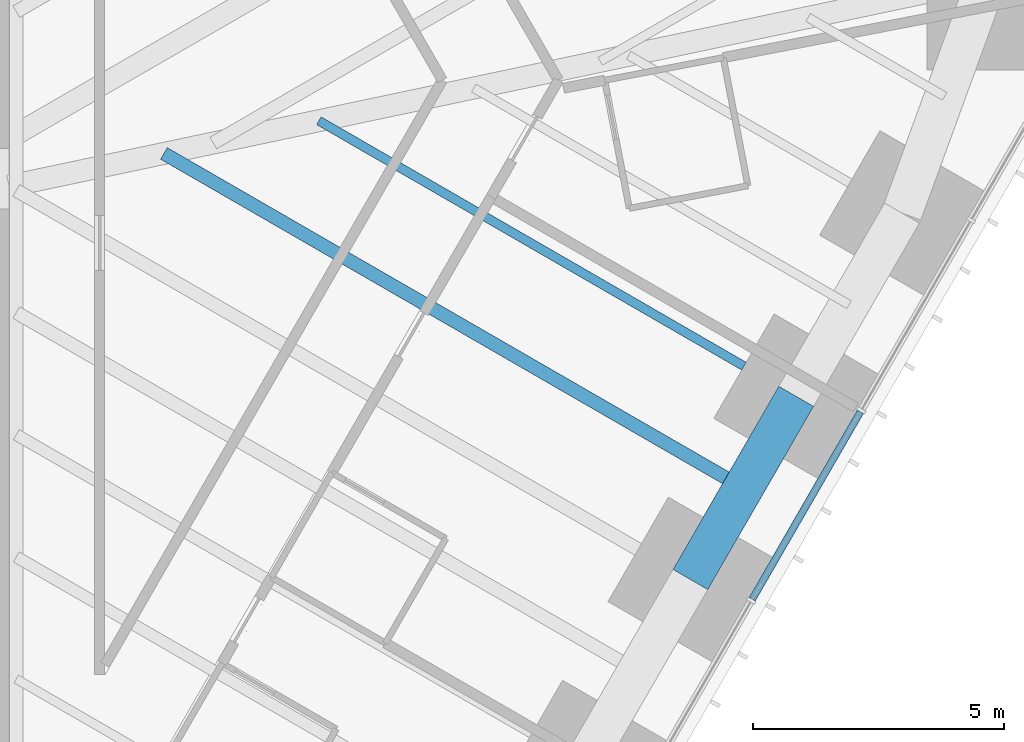
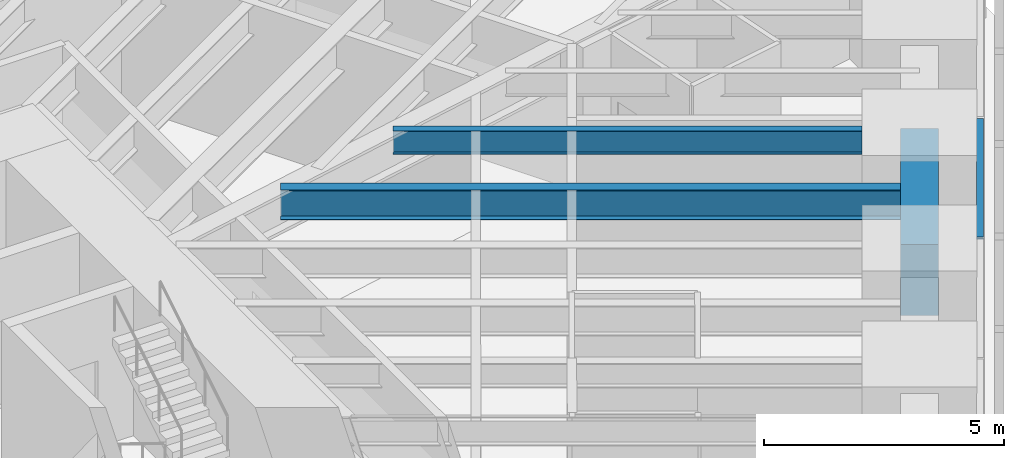
# One storey, part 120 of 256: 3 beams, 1 member, 1 element without a shape of its own.
"""IFC4 building model written with IfcOpenShell, lengths in metres."""

from ifc_helpers import new_model, si_unit, direction, frame, origin, origin_2d, place, context, subcontext, project, spatial, rectangle, i_section, extrude, material, material_profile, profile_set, type_object, element, aggregate, save


model = new_model("IFC4")

# Units and contexts
model_context = context("Model", 3, precision=1e-05, world=origin(), true_north=direction((0.0, 1.0)))
body_context = subcontext(model_context, "Body", "Model", "MODEL_VIEW")
ifc_project = project(units=[si_unit("LENGTHUNIT", "METRE"), si_unit("AREAUNIT", "SQUARE_METRE"), si_unit("VOLUMEUNIT", "CUBIC_METRE"), si_unit("PLANEANGLEUNIT", "RADIAN"), si_unit("MASSUNIT", "GRAM", prefix="KILO")], contexts=[model_context])

# Site, building, storey
site_placement = place(None, origin())
site = spatial("IfcSite", under=ifc_project, at=site_placement, CompositionType="ELEMENT")
building_placement = place(site_placement, origin())
building = spatial("IfcBuilding", under=site, at=building_placement, Name="Sandreach Pilgrim Tower", CompositionType="ELEMENT")
storey_placement = place(building_placement, frame((0.0, 0.0, 23.0)))
storey = spatial("IfcBuildingStorey", under=building, at=storey_placement, Name="L04", CompositionType="ELEMENT", Elevation=23.0)

# Curtain wall, member
ifc_material_1 = material(Name="Aluminium framed curtain wall", Category="aluminium")
curtain_wall_type = type_object("IfcCurtainWallType", Name="Hostel tower curtain wall", PredefinedType="NOTDEFINED", material=ifc_material_1)
curtain_wall_placement = place(storey_placement, origin())
curtain_wall = element("IfcCurtainWall", 1, at=curtain_wall_placement, inside=storey, type_object=curtain_wall_type, Name="CW-1 L04 SE", PredefinedType="NOTDEFINED")
ifc_material_2 = material(Name="Aluminium extrusion", Category="aluminium")
ifc_material_profile_1 = material_profile(ifc_material_2, rectangle(XDim=0.139892578125, YDim=0.070068359375, at=origin_2d()), Name="CW-1T 140X70")
ifc_profile_set_1 = profile_set([ifc_material_profile_1], Name="Aluminium extrusion")
member_type = type_object("IfcMemberType", Name="CW-1 transom", PredefinedType="USERDEFINED", material=ifc_profile_set_1)
member_placement = place(storey_placement, frame((26.1884765625, -2.537841796875, 3.60498046875), z_axis=(-0.500016891966, -0.866015650984, 0.0), x_axis=(0.866015650984, -0.500016891966, 0.0)))
member = element("IfcMember", 2, at=member_placement, type_object=member_type, Name="CW-1 head transom 3", ObjectType="TRANSOM", PredefinedType="USERDEFINED", context=body_context, shape_type="SweptSolid", body=[
    extrude(rectangle(XDim=0.139892578125, YDim=0.070068359375, at=origin_2d()), origin(), (0.0, 0.0, 1.0), 4.306396484375),
])
aggregate(curtain_wall, [member])

# Beams
ifc_material_3 = material(Name="Steel ASTM A992 Grade 50", Category="steel")
ifc_material_profile_2 = material_profile(ifc_material_3, i_section(OverallWidth=0.1787109375, OverallDepth=0.60205078125, WebThickness=0.010986328125, FlangeThickness=0.014892578125, at=origin_2d()), Name="W24X62")
ifc_profile_set_2 = profile_set([ifc_material_profile_2], Name="Steel ASTM A992 Grade 50")
beam_type_1 = type_object("IfcBeamType", Name="Floor beam W24X62", PredefinedType="BEAM", material=ifc_profile_set_2)
beam_1_placement = place(storey_placement, frame((23.8720703125, -1.629638671875, 3.339111328125), z_axis=(-0.866025751498, 0.499999397742, 0.0), x_axis=(-0.499999397742, -0.866025751498, 0.0)))
element("IfcBeam", 3, at=beam_1_placement, inside=storey, type_object=beam_type_1, Name="BM L04 F15", PredefinedType="BEAM", context=body_context, shape_type="SweptSolid", body=[
    extrude(i_section(OverallWidth=0.1787109375, OverallDepth=0.60205078125, WebThickness=0.010986328125, FlangeThickness=0.014892578125, at=origin_2d()), origin(), (0.0, 0.0, 1.0), 9.767578125),
])
ifc_material_4 = material(Name="Steel ASTM A992 Grade 50", Category="steel")
ifc_material_profile_3 = material_profile(ifc_material_4, i_section(OverallWidth=0.2666015625, OverallDepth=0.761962890625, WebThickness=0.014404296875, FlangeThickness=0.021484375, at=origin_2d()), Name="W30X116")
ifc_profile_set_3 = profile_set([ifc_material_profile_3], Name="Steel ASTM A992 Grade 50")
beam_type_2 = type_object("IfcBeamType", Name="Floor beam W30X116", PredefinedType="BEAM", material=ifc_profile_set_3)
beam_2_placement = place(storey_placement, frame((23.85888671875, -4.052490234375, 3.259033203125), z_axis=(-0.866029213426, 0.499993401449, 0.0), x_axis=(-0.499993401449, -0.866029213426, 0.0)))
element("IfcBeam", 4, at=beam_2_placement, inside=storey, type_object=beam_type_2, Name="BM L04 FM15", PredefinedType="BEAM", context=body_context, shape_type="SweptSolid", body=[
    extrude(i_section(OverallWidth=0.2666015625, OverallDepth=0.761962890625, WebThickness=0.014404296875, FlangeThickness=0.021484375, at=origin_2d()), origin(), (0.0, 0.0, 1.0), 13.311767578125),
])
ifc_material_5 = material(Name="Concrete 10000 psi", Category="concrete")
ifc_material_profile_4 = material_profile(ifc_material_5, rectangle(XDim=0.800048828125, YDim=1.800048828125, at=origin_2d()), Name="RC800X1800")
ifc_profile_set_4 = profile_set([ifc_material_profile_4], Name="Concrete 10000 psi")
beam_type_3 = type_object("IfcBeamType", Name="Spandrel beam RC800X1800", PredefinedType="SPANDREL", material=ifc_profile_set_4)
beam_3_placement = place(storey_placement, frame((24.911376953125, -2.229736328125, 2.739990234375), z_axis=(-0.50001863446, -0.866014644907, 0.0), x_axis=(0.866014644907, -0.50001863446, 0.0)))
element("IfcBeam", 5, at=beam_3_placement, inside=storey, type_object=beam_type_3, Name="BM L04 SP15", PredefinedType="SPANDREL", context=body_context, shape_type="SweptSolid", body=[
    extrude(rectangle(XDim=0.800048828125, YDim=1.800048828125, at=origin_2d()), origin(), (0.0, 0.0, 1.0), 4.209716796875),
])

save(model, "model.ifc")
